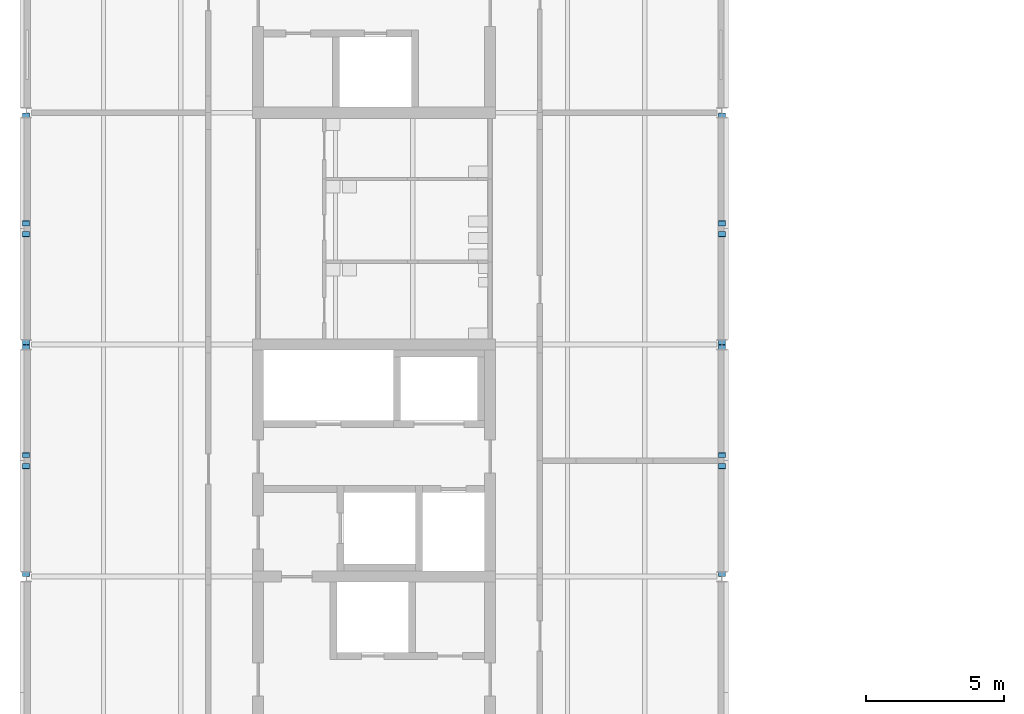
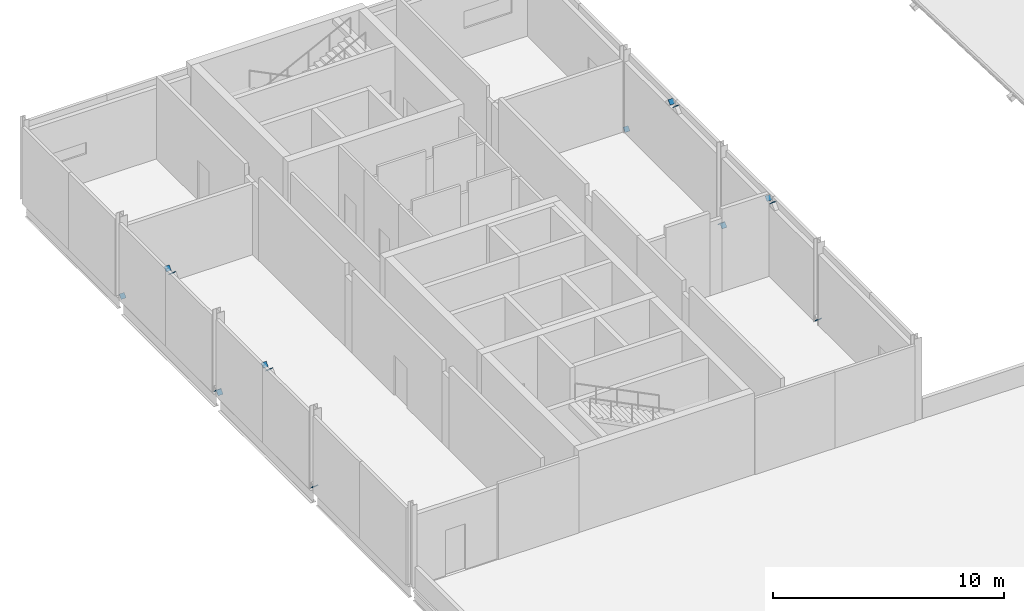
# One storey, part 43 of 76: 16 discrete accessories.
"""IFC4 building model written with IfcOpenShell, lengths in metres."""

from ifc_helpers import new_model, si_unit, direction, frame, origin, origin_2d, place, context, subcontext, project, spatial, rectangle, extrude, material, element, save


model = new_model("IFC4")

# Units and contexts
model_context = context("Model", 3, precision=1e-05, world=origin(), true_north=direction((0.0, 1.0)))
body_context = subcontext(model_context, "Body", "Model", "MODEL_VIEW")
ifc_project = project(units=[si_unit("LENGTHUNIT", "METRE"), si_unit("AREAUNIT", "SQUARE_METRE"), si_unit("VOLUMEUNIT", "CUBIC_METRE"), si_unit("PLANEANGLEUNIT", "RADIAN"), si_unit("MASSUNIT", "GRAM", prefix="KILO")], contexts=[model_context])

# Site, building, storey
site_placement = place(None, origin())
site = spatial("IfcSite", under=ifc_project, at=site_placement, CompositionType="ELEMENT")
building_placement = place(site_placement, origin())
building = spatial("IfcBuilding", under=site, at=building_placement, Name="Hlaing Beacon Police Headquarters", CompositionType="ELEMENT")
storey_placement = place(building_placement, frame((0.0, 0.0, 18.89990234375)))
storey = spatial("IfcBuildingStorey", under=building, at=storey_placement, Name="L04", CompositionType="ELEMENT", Elevation=18.89990234375)

# Discrete accessories
ifc_material = material(Name="Steel ASTM A572 Grade 50", Category="steel")
for number, where, z_axis, x_axis, name in (
    (1, (8.39990234375, 42.098388671875, 0.09521484375), (0.0, -0.714838395404, -0.69928968851), (1.0, 0.0, 0.0), "Gusset plate GP-161"),
    (2, (8.39990234375, 45.99560546875, 3.907958984375), (0.0, 0.714838395404, 0.69928968851), (-1.0, 0.0, 0.0), "Gusset plate GP-162"),
    (3, (8.39990234375, 50.301513671875, 0.09521484375), (0.0, 0.714838395404, -0.69928968851), (-1.0, 0.0, 0.0), "Gusset plate GP-163"),
    (4, (8.39990234375, 46.404296875, 3.907958984375), (0.0, -0.714838395404, 0.69928968851), (1.0, 0.0, 0.0), "Gusset plate GP-164"),
    (5, (8.39990234375, 50.498291015625, 0.09521484375), (0.0, -0.714838395404, -0.69928968851), (1.0, 0.0, 0.0), "Gusset plate GP-165"),
    (6, (8.39990234375, 54.3955078125, 3.907958984375), (0.0, 0.714838395404, 0.69928968851), (-1.0, 0.0, 0.0), "Gusset plate GP-166"),
    (7, (8.39990234375, 58.70166015625, 0.09521484375), (0.0, 0.714838395404, -0.69928968851), (-1.0, 0.0, 0.0), "Gusset plate GP-167"),
    (8, (8.39990234375, 54.804443359375, 3.907958984375), (0.0, -0.714838395404, 0.69928968851), (1.0, 0.0, 0.0), "Gusset plate GP-168"),
    (9, (33.60009765625, 42.098388671875, 0.09521484375), (0.0, -0.714838395404, -0.69928968851), (1.0, 0.0, 0.0), "Gusset plate GP-193"),
    (10, (33.60009765625, 45.99560546875, 3.907958984375), (0.0, 0.714838395404, 0.69928968851), (-1.0, 0.0, 0.0), "Gusset plate GP-194"),
    (11, (33.60009765625, 50.301513671875, 0.09521484375), (0.0, 0.714838395404, -0.69928968851), (-1.0, 0.0, 0.0), "Gusset plate GP-195"),
    (12, (33.60009765625, 46.404296875, 3.907958984375), (0.0, -0.714838395404, 0.69928968851), (1.0, 0.0, 0.0), "Gusset plate GP-196"),
    (13, (33.60009765625, 50.498291015625, 0.09521484375), (0.0, -0.714838395404, -0.69928968851), (1.0, 0.0, 0.0), "Gusset plate GP-197"),
    (14, (33.60009765625, 54.3955078125, 3.907958984375), (0.0, 0.714838395404, 0.69928968851), (-1.0, 0.0, 0.0), "Gusset plate GP-198"),
    (15, (33.60009765625, 58.70166015625, 0.09521484375), (0.0, 0.714838395404, -0.69928968851), (-1.0, 0.0, 0.0), "Gusset plate GP-199"),
    (16, (33.60009765625, 54.804443359375, 3.907958984375), (0.0, -0.714838395404, 0.69928968851), (1.0, 0.0, 0.0), "Gusset plate GP-200"),
):
    element("IfcDiscreteAccessory", number, at=place(storey_placement, frame(where, z_axis=z_axis, x_axis=x_axis)), inside=storey, material=ifc_material, Name=name, PredefinedType="BRACKET", context=body_context, shape_type="SweptSolid", body=[
        extrude(rectangle(XDim=0.25390625, YDim=0.25390625, at=origin_2d()), origin(), (0.0, 0.0, 1.0), 0.011962890625),
    ])

save(model, "model.ifc")
